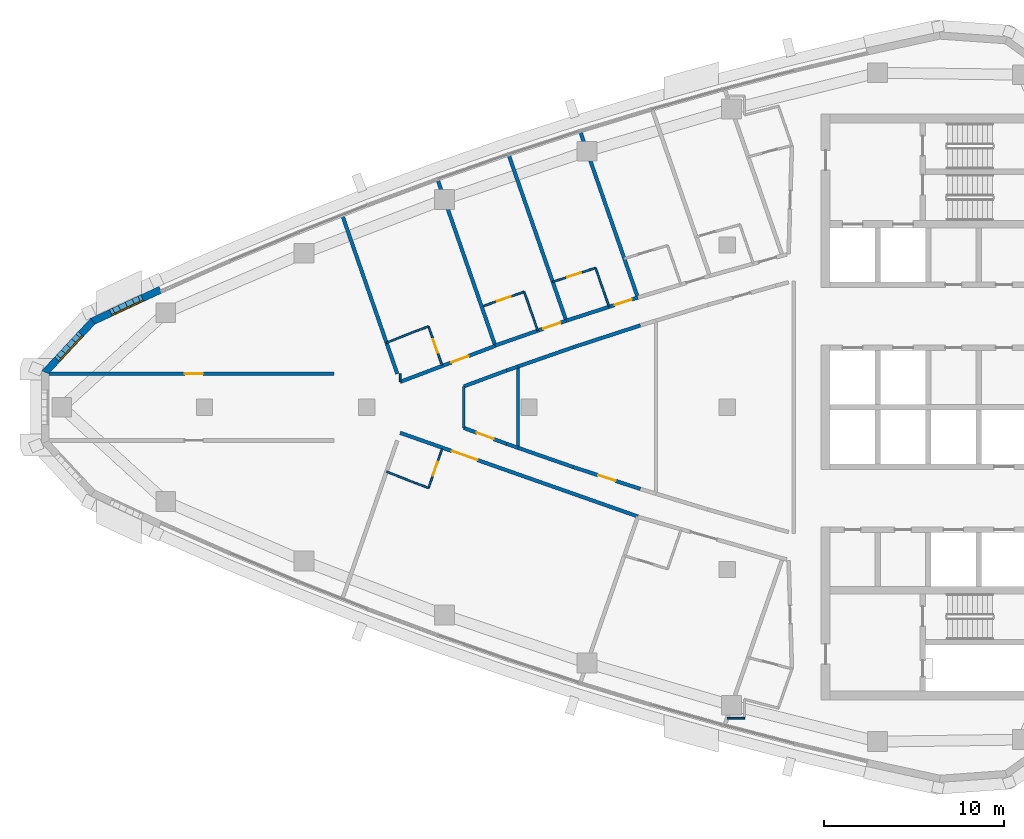
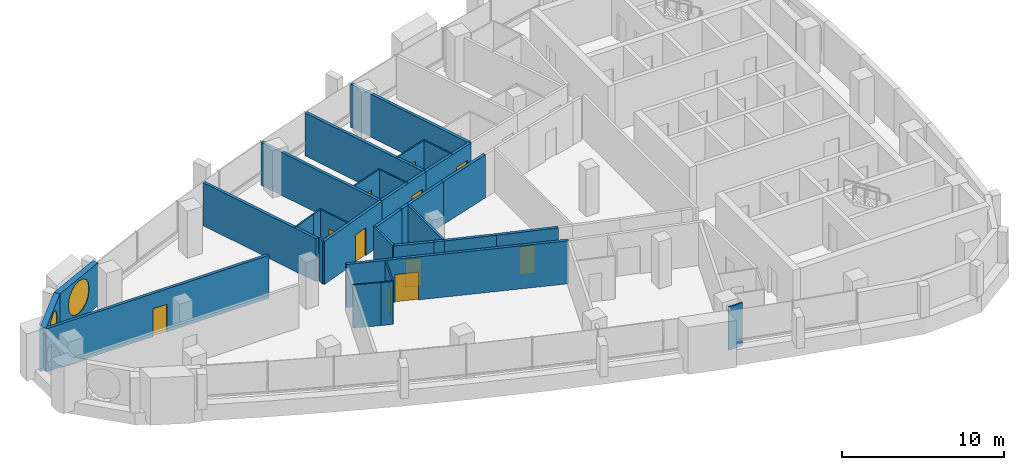
# One storey, part 7 of 14: 33 walls, 11 doors, 2 windows, 13 openings.
"""IFC4 building model written with IfcOpenShell, lengths in metres."""

from ifc_helpers import new_model, si_unit, direction, frame, frame_2d, origin, place, context, subcontext, project, spatial, polyline, rectangle, outline, extrude, material, layer, layer_set, type_object, element, fill, save


model = new_model("IFC4")

# Units and contexts
model_context = context("Model", 3, precision=1e-05, world=origin(), true_north=direction((0.0, 1.0)))
body_context = subcontext(model_context, "Body", "Model", "MODEL_VIEW")
ifc_project = project(units=[si_unit("LENGTHUNIT", "METRE"), si_unit("AREAUNIT", "SQUARE_METRE"), si_unit("VOLUMEUNIT", "CUBIC_METRE"), si_unit("PLANEANGLEUNIT", "RADIAN"), si_unit("MASSUNIT", "GRAM", prefix="KILO")], contexts=[model_context])

# Site, building, storey
site_placement = place(None, origin())
site = spatial("IfcSite", under=ifc_project, at=site_placement, CompositionType="ELEMENT")
building_placement = place(site_placement, origin())
building = spatial("IfcBuilding", under=site, at=building_placement, Name="Ostrand Prow Hotel Tower", CompositionType="ELEMENT")
storey_placement = place(building_placement, frame((0.0, 0.0, 289.199951171875)))
storey = spatial("IfcBuildingStorey", under=building, at=storey_placement, Name="L73", CompositionType="ELEMENT", Elevation=289.199951171875)

# Walls
ifc_material_1 = material(Name="Plasterboard partition")
ifc_layer_1 = layer(ifc_material_1, 0.10009765625)
ifc_layer_set_1 = layer_set([ifc_layer_1], Name="Plasterboard partition")
wall_type_1 = type_object("IfcWallType", Name="Partition 100 bathroom wall", PredefinedType="PARTITIONING", material=ifc_layer_set_1)
wall_1_placement = place(storey_placement, frame((26.095703125, 3.576171875, 0.0), z_axis=(0.0, 0.0, 1.0), x_axis=(0.930254925629, 0.366913850028, 0.0)))
element("IfcWall", 1, at=wall_1_placement, inside=storey, type_object=wall_type_1, Name="BATHROOM WALL", PredefinedType="PARTITIONING", context=body_context, shape_type="SweptSolid", body=[
    extrude(rectangle(XDim=1.760009765625, YDim=0.10009765625, at=frame_2d((0.8798828125, 0.0))), origin(), (0.0, 0.0, 1.0), 3.25),
])
wall_2_placement = place(storey_placement, frame((27.73291015625, 4.221923828125, 0.0), z_axis=(0.0, 0.0, 1.0), x_axis=(0.937514267289, 0.347946833049, 0.0)))
element("IfcWall", 2, at=wall_2_placement, inside=storey, type_object=wall_type_1, Name="BATHROOM WALL", PredefinedType="PARTITIONING", context=body_context, shape_type="SweptSolid", body=[
    extrude(rectangle(XDim=0.74169921875, YDim=0.10009765625, at=frame_2d((0.370849609375, 0.0))), origin(), (0.0, 0.0, 1.0), 3.25),
])

# Wall, opening, door
wall_3_placement = place(storey_placement, frame((28.42822265625, 4.47998046875, 0.0), z_axis=(0.0, 0.0, 1.0), x_axis=(0.327718024288, -0.944775579996, 0.0)))
wall_3 = element("IfcWall", 3, at=wall_3_placement, inside=storey, type_object=wall_type_1, Name="BATHROOM WALL", PredefinedType="PARTITIONING", context=body_context, shape_type="SweptSolid", body=[
    extrude(rectangle(XDim=2.27734375, YDim=0.10009765625, at=frame_2d((1.138671875, 0.0))), origin(), (0.0, 0.0, 1.0), 3.25),
])
opening_1_placement = place(wall_3_placement, frame((0.75, 0.0, 0.0)))
opening_1 = element("IfcOpeningElement", 4, at=opening_1_placement, cuts=wall_3, Name="Opening D2", PredefinedType="OPENING", context=body_context, shape_type="SweptSolid", body=[
    extrude(rectangle(XDim=0.800048828125, YDim=2.10009765625, at=frame_2d((0.39990234375, 1.050048828125))), frame((0.0, 0.06005859375, 0.0), z_axis=(0.0, -1.0, 0.0), x_axis=(1.0, 0.0, 0.0)), (0.0, 0.0, 1.0), 0.1201171875),
])
ifc_material_2 = material(Name="Timber door leaf", Category="wood")
door_type_1 = type_object("IfcDoorType", Name="Bathroom door 800", OperationType="SINGLE_SWING_LEFT", PredefinedType="DOOR", material=ifc_material_2)
door_1_placement = place(opening_1_placement, origin())
door_1 = element("IfcDoor", 5, at=door_1_placement, inside=storey, type_object=door_type_1, Name="DOOR", OperationType="SINGLE_SWING_LEFT", OverallHeight=2.10009765625, OverallWidth=0.800048828125, PredefinedType="DOOR", context=body_context, shape_type="SweptSolid", body=[
    extrude(rectangle(XDim=0.800048828125, YDim=2.10009765625, at=frame_2d((0.39990234375, 1.050048828125))), frame((0.0, 0.02490234375, 0.0), z_axis=(0.0, -1.0, 0.0), x_axis=(1.0, 0.0, 0.0)), (0.0, 0.0, 1.0), 0.050048828125),
])
fill(opening_1, door_1)

wall_4_placement = place(storey_placement, frame((31.472900390625, 5.610595703125, 0.0), z_axis=(0.0, 0.0, 1.0), x_axis=(0.944305532659, 0.329069994059, 0.0)))
wall_4 = element("IfcWall", 6, at=wall_4_placement, inside=storey, type_object=wall_type_1, Name="BATHROOM WALL", PredefinedType="PARTITIONING", context=body_context, shape_type="SweptSolid", body=[
    extrude(rectangle(XDim=2.395751953125, YDim=0.10009765625, at=frame_2d((1.19775390625, 0.0))), origin(), (0.0, 0.0, 1.0), 3.25),
])
opening_2_placement = place(wall_4_placement, frame((0.800048828125, 0.0, 0.0)))
opening_2 = element("IfcOpeningElement", 7, at=opening_2_placement, cuts=wall_4, Name="Opening D2", PredefinedType="OPENING", context=body_context, shape_type="SweptSolid", body=[
    extrude(rectangle(XDim=0.800048828125, YDim=2.10009765625, at=frame_2d((0.39990234375, 1.050048828125))), frame((0.0, 0.06005859375, 0.0), z_axis=(0.0, -1.0, 0.0), x_axis=(1.0, 0.0, 0.0)), (0.0, 0.0, 1.0), 0.1201171875),
])
door_2_placement = place(opening_2_placement, origin())
door_2 = element("IfcDoor", 8, at=door_2_placement, inside=storey, type_object=door_type_1, Name="DOOR", OperationType="SINGLE_SWING_LEFT", OverallHeight=2.10009765625, OverallWidth=0.800048828125, PredefinedType="DOOR", context=body_context, shape_type="SweptSolid", body=[
    extrude(rectangle(XDim=0.800048828125, YDim=2.10009765625, at=frame_2d((0.39990234375, 1.050048828125))), frame((0.0, 0.02490234375, 0.0), z_axis=(0.0, -1.0, 0.0), x_axis=(1.0, 0.0, 0.0)), (0.0, 0.0, 1.0), 0.050048828125),
])
fill(opening_2, door_2)

# Wall
wall_5_placement = place(storey_placement, frame((33.7353515625, 6.39892578125, 0.0), z_axis=(0.0, 0.0, 1.0), x_axis=(0.32768871219, -0.944785747089, 0.0)))
element("IfcWall", 9, at=wall_5_placement, inside=storey, type_object=wall_type_1, Name="BATHROOM WALL", PredefinedType="PARTITIONING", context=body_context, shape_type="SweptSolid", body=[
    extrude(rectangle(XDim=2.27685546875, YDim=0.10009765625, at=frame_2d((1.138427734375, 0.0))), origin(), (0.0, 0.0, 1.0), 3.25),
])

# Wall, opening, door
wall_6_placement = place(storey_placement, frame((35.31689453125, 6.948486328125, 0.0), z_axis=(0.0, 0.0, 1.0), x_axis=(0.950666002187, 0.310216299194, 0.0)))
wall_6 = element("IfcWall", 10, at=wall_6_placement, inside=storey, type_object=wall_type_1, Name="BATHROOM WALL", PredefinedType="PARTITIONING", context=body_context, shape_type="SweptSolid", body=[
    extrude(rectangle(XDim=2.500244140625, YDim=0.10009765625, at=frame_2d((1.25, 0.0))), origin(), (0.0, 0.0, 1.0), 3.25),
])
opening_3_placement = place(wall_6_placement, frame((0.85009765625, 0.0, 0.0)))
opening_3 = element("IfcOpeningElement", 11, at=opening_3_placement, cuts=wall_6, Name="Opening D2", PredefinedType="OPENING", context=body_context, shape_type="SweptSolid", body=[
    extrude(rectangle(XDim=0.800048828125, YDim=2.10009765625, at=frame_2d((0.39990234375, 1.050048828125))), frame((0.0, 0.06005859375, 0.0), z_axis=(0.0, -1.0, 0.0), x_axis=(1.0, 0.0, 0.0)), (0.0, 0.0, 1.0), 0.1201171875),
])
door_3_placement = place(opening_3_placement, origin())
door_3 = element("IfcDoor", 12, at=door_3_placement, inside=storey, type_object=door_type_1, Name="DOOR", OperationType="SINGLE_SWING_LEFT", OverallHeight=2.10009765625, OverallWidth=0.800048828125, PredefinedType="DOOR", context=body_context, shape_type="SweptSolid", body=[
    extrude(rectangle(XDim=0.800048828125, YDim=2.10009765625, at=frame_2d((0.39990234375, 1.050048828125))), frame((0.0, 0.02490234375, 0.0), z_axis=(0.0, -1.0, 0.0), x_axis=(1.0, 0.0, 0.0)), (0.0, 0.0, 1.0), 0.050048828125),
])
fill(opening_3, door_3)

# Wall
wall_7_placement = place(storey_placement, frame((37.694091796875, 7.72412109375, 0.0), z_axis=(0.0, 0.0, 1.0), x_axis=(0.327622330203, -0.944808768351, 0.0)))
element("IfcWall", 13, at=wall_7_placement, inside=storey, type_object=wall_type_1, Name="BATHROOM WALL", PredefinedType="PARTITIONING", context=body_context, shape_type="SweptSolid", body=[
    extrude(rectangle(XDim=2.27734375, YDim=0.10009765625, at=frame_2d((1.138671875, 0.0))), origin(), (0.0, 0.0, 1.0), 3.25),
])

# Wall, opening, door
wall_8_placement = place(storey_placement, frame((29.174560546875, -2.328369140625, 0.0), z_axis=(0.0, 0.0, 1.0), x_axis=(-0.327718024288, -0.944775579996, 0.0)))
wall_8 = element("IfcWall", 14, at=wall_8_placement, inside=storey, type_object=wall_type_1, Name="BATHROOM WALL", PredefinedType="PARTITIONING", context=body_context, shape_type="SweptSolid", body=[
    extrude(rectangle(XDim=2.27734375, YDim=0.10009765625, at=frame_2d((1.138671875, 0.0))), origin(), (0.0, 0.0, 1.0), 3.25),
])
opening_4_placement = place(wall_8_placement, frame((0.75, 0.0, 0.0)))
opening_4 = element("IfcOpeningElement", 15, at=opening_4_placement, cuts=wall_8, Name="Opening D2", PredefinedType="OPENING", context=body_context, shape_type="SweptSolid", body=[
    extrude(rectangle(XDim=0.800048828125, YDim=2.10009765625, at=frame_2d((0.39990234375, 1.050048828125))), frame((0.0, 0.06005859375, 0.0), z_axis=(0.0, -1.0, 0.0), x_axis=(1.0, 0.0, 0.0)), (0.0, 0.0, 1.0), 0.1201171875),
])
door_4_placement = place(opening_4_placement, origin())
door_4 = element("IfcDoor", 16, at=door_4_placement, inside=storey, type_object=door_type_1, Name="DOOR", OperationType="SINGLE_SWING_LEFT", OverallHeight=2.10009765625, OverallWidth=0.800048828125, PredefinedType="DOOR", context=body_context, shape_type="SweptSolid", body=[
    extrude(rectangle(XDim=0.800048828125, YDim=2.10009765625, at=frame_2d((0.39990234375, 1.050048828125))), frame((0.0, 0.02490234375, 0.0), z_axis=(0.0, -1.0, 0.0), x_axis=(1.0, 0.0, 0.0)), (0.0, 0.0, 1.0), 0.050048828125),
])
fill(opening_4, door_4)

# Walls
wall_9_placement = place(storey_placement, frame((28.42822265625, -4.47998046875, 0.0), z_axis=(0.0, 0.0, 1.0), x_axis=(-0.937514267289, 0.347946833049, 0.0)))
element("IfcWall", 17, at=wall_9_placement, inside=storey, type_object=wall_type_1, Name="BATHROOM WALL", PredefinedType="PARTITIONING", context=body_context, shape_type="SweptSolid", body=[
    extrude(rectangle(XDim=0.74169921875, YDim=0.10009765625, at=frame_2d((0.370849609375, 0.0))), origin(), (0.0, 0.0, 1.0), 3.25),
])
wall_10_placement = place(storey_placement, frame((27.73291015625, -4.221923828125, 0.0), z_axis=(0.0, 0.0, 1.0), x_axis=(-0.930254925629, 0.366913850028, 0.0)))
element("IfcWall", 18, at=wall_10_placement, inside=storey, type_object=wall_type_1, Name="BATHROOM WALL", PredefinedType="PARTITIONING", context=body_context, shape_type="SweptSolid", body=[
    extrude(rectangle(XDim=1.760009765625, YDim=0.10009765625, at=frame_2d((0.8798828125, 0.0))), origin(), (0.0, 0.0, 1.0), 3.25),
])
wall_11_placement = place(storey_placement, frame((45.95458984375, -17.258544921875, 0.0), z_axis=(0.0, 0.0, 1.0), x_axis=(-1.0, 0.0, 0.0)))
element("IfcWall", 19, at=wall_11_placement, inside=storey, type_object=wall_type_1, Name="BATHROOM WALL", PredefinedType="PARTITIONING", context=body_context, shape_type="SweptSolid", body=[
    extrude(rectangle(XDim=0.9697265625, YDim=0.10009765625, at=frame_2d((0.48486328125, 0.0))), origin(), (0.0, 0.0, 1.0), 3.25),
])
wall_12_placement = place(storey_placement, frame((26.8564453125, 1.4091796875, 0.0), z_axis=(0.0, 0.0, 1.0), x_axis=(-0.003863105832, 0.999992538179, 0.0)))
element("IfcWall", 20, at=wall_12_placement, inside=storey, type_object=wall_type_1, Name="BATHROOM WALL", PredefinedType="PARTITIONING", context=body_context, shape_type="SweptSolid", body=[
    extrude(rectangle(XDim=0.4423828125, YDim=0.10009765625, at=frame_2d((0.22119140625, 0.0))), origin(), (0.0, 0.0, 1.0), 3.25),
])
ifc_material_3 = material(Name="Plasterboard partition")
ifc_layer_2 = layer(ifc_material_3, 0.14990234375)
ifc_layer_set_2 = layer_set([ifc_layer_2], Name="Plasterboard partition")
wall_type_2 = type_object("IfcWallType", Name="Partition 150 room partition", PredefinedType="PARTITIONING", material=ifc_layer_set_2)
wall_13_placement = place(storey_placement, frame((30.385498046875, -1.1533203125, 0.0), z_axis=(0.0, 0.0, 1.0), x_axis=(0.0, 1.0, 0.0)))
element("IfcWall", 21, at=wall_13_placement, inside=storey, type_object=wall_type_2, Name="ROOM PARTITION", PredefinedType="PARTITIONING", context=body_context, shape_type="SweptSolid", body=[
    extrude(rectangle(XDim=2.306640625, YDim=0.14990234375, at=frame_2d((1.1533203125, 0.0))), origin(), (0.0, 0.0, 1.0), 3.25),
])
wall_14_placement = place(storey_placement, frame((33.385498046875, -2.2529296875, 0.0), z_axis=(0.0, 0.0, 1.0), x_axis=(0.0, 1.0, 0.0)))
element("IfcWall", 22, at=wall_14_placement, inside=storey, type_object=wall_type_2, Name="ROOM PARTITION", PredefinedType="PARTITIONING", context=body_context, shape_type="SweptSolid", body=[
    extrude(rectangle(XDim=4.505859375, YDim=0.14990234375, at=frame_2d((2.2529296875, 0.0))), origin(), (0.0, 0.0, 1.0), 3.25),
])

# Wall, opening, door
ifc_material_4 = material(Name="Plasterboard partition")
ifc_layer_3 = layer(ifc_material_4, 0.199951171875)
ifc_layer_set_3 = layer_set([ifc_layer_3], Name="Plasterboard partition")
wall_type_3 = type_object("IfcWallType", Name="Partition 200 corridor wall", PredefinedType="PARTITIONING", material=ifc_layer_set_3)
wall_15_placement = place(storey_placement, frame((7.287109375, 1.85009765625, 0.0), z_axis=(0.0, 0.0, 1.0), x_axis=(1.0, 0.0, 0.0)))
wall_15 = element("IfcWall", 23, at=wall_15_placement, inside=storey, type_object=wall_type_3, Name="CORRIDOR WALL", PredefinedType="PARTITIONING", context=body_context, shape_type="SweptSolid", body=[
    extrude(rectangle(XDim=15.898681640625, YDim=0.199951171875, at=frame_2d((7.94921875, 0.0))), origin(), (0.0, 0.0, 1.0), 3.25),
])
opening_5_placement = place(wall_15_placement, frame((7.6240234375, 0.0, 0.0)))
opening_5 = element("IfcOpeningElement", 24, at=opening_5_placement, cuts=wall_15, Name="Opening D1", PredefinedType="OPENING", context=body_context, shape_type="SweptSolid", body=[
    extrude(rectangle(XDim=1.0, YDim=2.10009765625, at=frame_2d((0.5, 1.050048828125))), frame((0.0, 0.10986328125, 0.0), z_axis=(0.0, -1.0, 0.0), x_axis=(1.0, 0.0, 0.0)), (0.0, 0.0, 1.0), 0.219970703125),
])
ifc_material_5 = material(Name="Timber door leaf", Category="wood")
door_type_2 = type_object("IfcDoorType", Name="Guest room door 1000", OperationType="SINGLE_SWING_LEFT", PredefinedType="DOOR", material=ifc_material_5)
door_5_placement = place(opening_5_placement, origin())
door_5 = element("IfcDoor", 25, at=door_5_placement, inside=storey, type_object=door_type_2, Name="DOOR", OperationType="SINGLE_SWING_LEFT", OverallHeight=2.10009765625, OverallWidth=1.0, PredefinedType="DOOR", context=body_context, shape_type="SweptSolid", body=[
    extrude(rectangle(XDim=1.0, YDim=2.10009765625, at=frame_2d((0.5, 1.050048828125))), frame((0.0, 0.02490234375, 0.0), z_axis=(0.0, -1.0, 0.0), x_axis=(1.0, 0.0, 0.0)), (0.0, 0.0, 1.0), 0.050048828125),
])
fill(opening_5, door_5)

wall_16_placement = place(storey_placement, frame((26.85009765625, 1.4013671875, 0.0), z_axis=(0.0, 0.0, 1.0), x_axis=(0.935181367748, 0.354169181912, 0.0)))
wall_16 = element("IfcWall", 26, at=wall_16_placement, inside=storey, type_object=wall_type_3, Name="CORRIDOR WALL", PredefinedType="PARTITIONING", context=body_context, shape_type="SweptSolid", body=[
    extrude(rectangle(XDim=5.64501953125, YDim=0.199951171875, at=frame_2d((2.822509765625, 0.0))), origin(), (0.0, 0.0, 1.0), 3.25),
])
opening_6_placement = place(wall_16_placement, frame((3.050048828125, 0.0, 0.0)))
opening_6 = element("IfcOpeningElement", 27, at=opening_6_placement, cuts=wall_16, Name="Opening D1R", PredefinedType="OPENING", context=body_context, shape_type="SweptSolid", body=[
    extrude(rectangle(XDim=1.0, YDim=2.10009765625, at=frame_2d((0.5, 1.050048828125))), frame((0.0, 0.10986328125, 0.0), z_axis=(0.0, -1.0, 0.0), x_axis=(1.0, 0.0, 0.0)), (0.0, 0.0, 1.0), 0.219970703125),
])
ifc_material_6 = material(Name="Timber door leaf", Category="wood")
door_type_3 = type_object("IfcDoorType", Name="Guest room door 1000 right", OperationType="SINGLE_SWING_RIGHT", PredefinedType="DOOR", material=ifc_material_6)
door_6_placement = place(opening_6_placement, origin())
door_6 = element("IfcDoor", 28, at=door_6_placement, inside=storey, type_object=door_type_3, Name="DOOR", OperationType="SINGLE_SWING_RIGHT", OverallHeight=2.10009765625, OverallWidth=1.0, PredefinedType="DOOR", context=body_context, shape_type="SweptSolid", body=[
    extrude(rectangle(XDim=1.0, YDim=2.10009765625, at=frame_2d((0.5, 1.050048828125))), frame((0.0, 0.02490234375, 0.0), z_axis=(0.0, -1.0, 0.0), x_axis=(1.0, 0.0, 0.0)), (0.0, 0.0, 1.0), 0.050048828125),
])
fill(opening_6, door_6)

wall_17_placement = place(storey_placement, frame((36.064208984375, 4.794189453125, 0.0), z_axis=(0.0, 0.0, 1.0), x_axis=(-0.944236129554, -0.329269086986, 0.0)))
wall_17 = element("IfcWall", 29, at=wall_17_placement, inside=storey, type_object=wall_type_3, Name="CORRIDOR WALL", PredefinedType="PARTITIONING", context=body_context, shape_type="SweptSolid", body=[
    extrude(rectangle(XDim=4.17431640625, YDim=0.199951171875, at=frame_2d((2.087158203125, 0.0))), origin(), (0.0, 0.0, 1.0), 3.25),
])
opening_7_placement = place(wall_17_placement, frame((0.35009765625, 0.0, 0.0)))
opening_7 = element("IfcOpeningElement", 30, at=opening_7_placement, cuts=wall_17, Name="Opening D1R", PredefinedType="OPENING", context=body_context, shape_type="SweptSolid", body=[
    extrude(rectangle(XDim=1.0, YDim=2.10009765625, at=frame_2d((0.5, 1.050048828125))), frame((0.0, 0.10986328125, 0.0), z_axis=(0.0, -1.0, 0.0), x_axis=(1.0, 0.0, 0.0)), (0.0, 0.0, 1.0), 0.219970703125),
])
door_7_placement = place(opening_7_placement, origin())
door_7 = element("IfcDoor", 31, at=door_7_placement, inside=storey, type_object=door_type_3, Name="DOOR", OperationType="SINGLE_SWING_RIGHT", OverallHeight=2.10009765625, OverallWidth=1.0, PredefinedType="DOOR", context=body_context, shape_type="SweptSolid", body=[
    extrude(rectangle(XDim=1.0, YDim=2.10009765625, at=frame_2d((0.5, 1.050048828125))), frame((0.0, 0.02490234375, 0.0), z_axis=(0.0, -1.0, 0.0), x_axis=(1.0, 0.0, 0.0)), (0.0, 0.0, 1.0), 0.050048828125),
])
fill(opening_7, door_7)

wall_18_placement = place(storey_placement, frame((40.035400390625, 6.08251953125, 0.0), z_axis=(0.0, 0.0, 1.0), x_axis=(-0.951196378796, -0.308586209941, 0.0)))
wall_18 = element("IfcWall", 32, at=wall_18_placement, inside=storey, type_object=wall_type_3, Name="CORRIDOR WALL", PredefinedType="PARTITIONING", context=body_context, shape_type="SweptSolid", body=[
    extrude(rectangle(XDim=4.175048828125, YDim=0.199951171875, at=frame_2d((2.08740234375, 0.0))), origin(), (0.0, 0.0, 1.0), 3.25),
])
opening_8_placement = place(wall_18_placement, frame((0.35009765625, 0.0, 0.0)))
opening_8 = element("IfcOpeningElement", 33, at=opening_8_placement, cuts=wall_18, Name="Opening D1R", PredefinedType="OPENING", context=body_context, shape_type="SweptSolid", body=[
    extrude(rectangle(XDim=1.0, YDim=2.10009765625, at=frame_2d((0.5, 1.050048828125))), frame((0.0, 0.10986328125, 0.0), z_axis=(0.0, -1.0, 0.0), x_axis=(1.0, 0.0, 0.0)), (0.0, 0.0, 1.0), 0.219970703125),
])
door_8_placement = place(opening_8_placement, origin())
door_8 = element("IfcDoor", 34, at=door_8_placement, inside=storey, type_object=door_type_3, Name="DOOR", OperationType="SINGLE_SWING_RIGHT", OverallHeight=2.10009765625, OverallWidth=1.0, PredefinedType="DOOR", context=body_context, shape_type="SweptSolid", body=[
    extrude(rectangle(XDim=1.0, YDim=2.10009765625, at=frame_2d((0.5, 1.050048828125))), frame((0.0, 0.02490234375, 0.0), z_axis=(0.0, -1.0, 0.0), x_axis=(1.0, 0.0, 0.0)), (0.0, 0.0, 1.0), 0.050048828125),
])
fill(opening_8, door_8)

wall_19_placement = place(storey_placement, frame((26.85009765625, -1.4228515625, 0.0), z_axis=(0.0, 0.0, 1.0), x_axis=(0.943328585164, -0.331860182022, 0.0)))
wall_19 = element("IfcWall", 35, at=wall_19_placement, inside=storey, type_object=wall_type_3, Name="CORRIDOR WALL", PredefinedType="PARTITIONING", context=body_context, shape_type="SweptSolid", body=[
    extrude(rectangle(XDim=13.984375, YDim=0.199951171875, at=frame_2d((6.9921875, 0.0))), origin(), (0.0, 0.0, 1.0), 3.25),
])
opening_9_placement = place(wall_19_placement, frame((3.050048828125, 0.0, 0.0)))
opening_9 = element("IfcOpeningElement", 36, at=opening_9_placement, cuts=wall_19, Name="Opening D15", PredefinedType="OPENING", context=body_context, shape_type="SweptSolid", body=[
    extrude(rectangle(XDim=1.5, YDim=2.10009765625, at=frame_2d((0.75, 1.050048828125))), frame((0.0, 0.10986328125, 0.0), z_axis=(0.0, -1.0, 0.0), x_axis=(1.0, 0.0, 0.0)), (0.0, 0.0, 1.0), 0.219970703125),
])
ifc_material_7 = material(Name="Timber door leaf", Category="wood")
door_type_4 = type_object("IfcDoorType", Name="Double door 1500", OperationType="DOUBLE_DOOR_SINGLE_SWING", PredefinedType="DOOR", material=ifc_material_7)
door_9_placement = place(opening_9_placement, origin())
door_9 = element("IfcDoor", 37, at=door_9_placement, inside=storey, type_object=door_type_4, Name="DOOR", OperationType="DOUBLE_DOOR_SINGLE_SWING", OverallHeight=2.10009765625, OverallWidth=1.5, PredefinedType="DOOR", context=body_context, shape_type="SweptSolid", body=[
    extrude(rectangle(XDim=1.5, YDim=2.10009765625, at=frame_2d((0.75, 1.050048828125))), frame((0.0, 0.02490234375, 0.0), z_axis=(0.0, -1.0, 0.0), x_axis=(1.0, 0.0, 0.0)), (0.0, 0.0, 1.0), 0.050048828125),
])
fill(opening_9, door_9)

wall_20_placement = place(storey_placement, frame((32.759765625, -2.034912109375, 0.0), z_axis=(0.0, 0.0, 1.0), x_axis=(-0.937461225735, 0.348089715797, 0.0)))
wall_20 = element("IfcWall", 38, at=wall_20_placement, inside=storey, type_object=wall_type_3, Name="CORRIDOR WALL", PredefinedType="PARTITIONING", context=body_context, shape_type="SweptSolid", body=[
    extrude(rectangle(XDim=2.53271484375, YDim=0.199951171875, at=frame_2d((1.266357421875, 0.0))), origin(), (0.0, 0.0, 1.0), 3.25),
])
opening_10_placement = place(wall_20_placement, frame((0.766357421875, 0.0, 0.0)))
opening_10 = element("IfcOpeningElement", 39, at=opening_10_placement, cuts=wall_20, Name="Opening D1", PredefinedType="OPENING", context=body_context, shape_type="SweptSolid", body=[
    extrude(rectangle(XDim=1.0, YDim=2.10009765625, at=frame_2d((0.5, 1.050048828125))), frame((0.0, 0.10986328125, 0.0), z_axis=(0.0, -1.0, 0.0), x_axis=(1.0, 0.0, 0.0)), (0.0, 0.0, 1.0), 0.219970703125),
])
door_10_placement = place(opening_10_placement, origin())
door_10 = element("IfcDoor", 40, at=door_10_placement, inside=storey, type_object=door_type_2, Name="DOOR", OperationType="SINGLE_SWING_LEFT", OverallHeight=2.10009765625, OverallWidth=1.0, PredefinedType="DOOR", context=body_context, shape_type="SweptSolid", body=[
    extrude(rectangle(XDim=1.0, YDim=2.10009765625, at=frame_2d((0.5, 1.050048828125))), frame((0.0, 0.02490234375, 0.0), z_axis=(0.0, -1.0, 0.0), x_axis=(1.0, 0.0, 0.0)), (0.0, 0.0, 1.0), 0.050048828125),
])
fill(opening_10, door_10)

# Walls
wall_21_placement = place(storey_placement, frame((30.385498046875, 1.1533203125, 0.0), z_axis=(0.0, 0.0, 1.0), x_axis=(0.937461225735, 0.348089715797, 0.0)))
element("IfcWall", 41, at=wall_21_placement, inside=storey, type_object=wall_type_3, Name="CORRIDOR WALL", PredefinedType="PARTITIONING", context=body_context, shape_type="SweptSolid", body=[
    extrude(rectangle(XDim=2.53271484375, YDim=0.199951171875, at=frame_2d((1.266357421875, 0.0))), origin(), (0.0, 0.0, 1.0), 3.25),
])
for number, where, z_axis, x_axis, name in (
    (42, (32.759765625, 2.034912109375, 0.0), (0.0, 0.0, 1.0), (0.944322693955, 0.329020743543, 0.0), "CORRIDOR WALL"),
    (43, (33.385498046875, -2.2529296875, 0.0), (0.0, 0.0, 1.0), (-0.944322693955, 0.329020743543, 0.0), "CORRIDOR WALL"),
):
    element("IfcWall", number, at=place(storey_placement, frame(where, z_axis=z_axis, x_axis=x_axis)), inside=storey, type_object=wall_type_3, Name=name, PredefinedType="PARTITIONING", context=body_context, shape_type="SweptSolid", body=[
        extrude(rectangle(XDim=0.66259765625, YDim=0.199951171875, at=frame_2d((0.331298828125, 0.0))), origin(), (0.0, 0.0, 1.0), 3.25),
    ])

# Wall, opening, door
wall_22_placement = place(storey_placement, frame((40.1748046875, -4.5361328125, 0.0), z_axis=(0.0, 0.0, 1.0), x_axis=(-0.950709849021, 0.310081897206, 0.0)))
wall_22 = element("IfcWall", 44, at=wall_22_placement, inside=storey, type_object=wall_type_3, Name="CORRIDOR WALL", PredefinedType="PARTITIONING", context=body_context, shape_type="SweptSolid", body=[
    extrude(rectangle(XDim=3.9130859375, YDim=0.199951171875, at=frame_2d((1.95654296875, 0.0))), origin(), (0.0, 0.0, 1.0), 3.25),
])
opening_11_placement = place(wall_22_placement, frame((1.45654296875, 0.0, 0.0)))
opening_11 = element("IfcOpeningElement", 45, at=opening_11_placement, cuts=wall_22, Name="Opening D1R", PredefinedType="OPENING", context=body_context, shape_type="SweptSolid", body=[
    extrude(rectangle(XDim=1.0, YDim=2.10009765625, at=frame_2d((0.5, 1.050048828125))), frame((0.0, 0.10986328125, 0.0), z_axis=(0.0, -1.0, 0.0), x_axis=(1.0, 0.0, 0.0)), (0.0, 0.0, 1.0), 0.219970703125),
])
door_11_placement = place(opening_11_placement, origin())
door_11 = element("IfcDoor", 46, at=door_11_placement, inside=storey, type_object=door_type_3, Name="DOOR", OperationType="SINGLE_SWING_RIGHT", OverallHeight=2.10009765625, OverallWidth=1.0, PredefinedType="DOOR", context=body_context, shape_type="SweptSolid", body=[
    extrude(rectangle(XDim=1.0, YDim=2.10009765625, at=frame_2d((0.5, 1.050048828125))), frame((0.0, 0.02490234375, 0.0), z_axis=(0.0, -1.0, 0.0), x_axis=(1.0, 0.0, 0.0)), (0.0, 0.0, 1.0), 0.050048828125),
])
fill(opening_11, door_11)

# Walls
for number, where, z_axis, x_axis, name in (
    (47, (36.45458984375, -3.32275390625, 0.0), (0.0, 0.0, 1.0), (-0.944275670423, 0.329155674791, 0.0), "CORRIDOR WALL"),
    (48, (33.385498046875, 2.2529296875, 0.0), (0.0, 0.0, 1.0), (0.944275670423, 0.329155674791, 0.0), "CORRIDOR WALL"),
):
    element("IfcWall", number, at=place(storey_placement, frame(where, z_axis=z_axis, x_axis=x_axis)), inside=storey, type_object=wall_type_3, Name=name, PredefinedType="PARTITIONING", context=body_context, shape_type="SweptSolid", body=[
        extrude(rectangle(XDim=3.250244140625, YDim=0.199951171875, at=frame_2d((1.625, 0.0))), origin(), (0.0, 0.0, 1.0), 3.25),
    ])
wall_23_placement = place(storey_placement, frame((36.45458984375, 3.32275390625, 0.0), z_axis=(0.0, 0.0, 1.0), x_axis=(0.950709849021, 0.310081897206, 0.0)))
element("IfcWall", 49, at=wall_23_placement, inside=storey, type_object=wall_type_3, Name="CORRIDOR WALL", PredefinedType="PARTITIONING", context=body_context, shape_type="SweptSolid", body=[
    extrude(rectangle(XDim=3.9130859375, YDim=0.199951171875, at=frame_2d((1.95654296875, 0.0))), origin(), (0.0, 0.0, 1.0), 3.25),
])
ifc_material_8 = material(Name="Plasterboard partition")
ifc_layer_4 = layer(ifc_material_8, 0.199951171875)
ifc_layer_set_4 = layer_set([ifc_layer_4], Name="Plasterboard partition")
wall_type_4 = type_object("IfcWallType", Name="Partition 200 key partition", PredefinedType="PARTITIONING", material=ifc_layer_set_4)
wall_24_placement = place(storey_placement, frame((26.6943359375, 1.85009765625, 0.0), z_axis=(0.0, 0.0, 1.0), x_axis=(-0.327714422317, 0.944776829418, 0.0)))
element("IfcWall", 50, at=wall_24_placement, inside=storey, type_object=wall_type_4, Name="KEY PARTITION", PredefinedType="PARTITIONING", context=body_context, shape_type="SweptSolid", body=[
    extrude(rectangle(XDim=9.2333984375, YDim=0.199951171875, at=frame_2d((4.61669921875, 0.0))), origin(), (0.0, 0.0, 1.0), 3.25),
])
wall_25_placement = place(storey_placement, frame((32.129150390625, 3.400634765625, 0.0), z_axis=(0.0, 0.0, 1.0), x_axis=(-0.327724115377, 0.944773467134, 0.0)))
element("IfcWall", 51, at=wall_25_placement, inside=storey, type_object=wall_type_4, Name="KEY PARTITION", PredefinedType="PARTITIONING", context=body_context, shape_type="SweptSolid", body=[
    extrude(rectangle(XDim=9.702392578125, YDim=0.199951171875, at=frame_2d((4.85107421875, 0.0))), origin(), (0.0, 0.0, 1.0), 3.25),
])
wall_26_placement = place(storey_placement, frame((36.07080078125, 4.775390625, 0.0), z_axis=(0.0, 0.0, 1.0), x_axis=(-0.327725028322, 0.94477315045, 0.0)))
element("IfcWall", 52, at=wall_26_placement, inside=storey, type_object=wall_type_4, Name="KEY PARTITION", PredefinedType="PARTITIONING", context=body_context, shape_type="SweptSolid", body=[
    extrude(rectangle(XDim=9.70166015625, YDim=0.199951171875, at=frame_2d((4.850830078125, 0.0))), origin(), (0.0, 0.0, 1.0), 3.25),
])
wall_27_placement = place(storey_placement, frame((40.0419921875, 6.063720703125, 0.0), z_axis=(0.0, 0.0, 1.0), x_axis=(-0.327710853631, 0.944778067279, 0.0)))
element("IfcWall", 53, at=wall_27_placement, inside=storey, type_object=wall_type_4, Name="KEY PARTITION", PredefinedType="PARTITIONING", context=body_context, shape_type="SweptSolid", body=[
    extrude(rectangle(XDim=9.707275390625, YDim=0.199951171875, at=frame_2d((4.853515625, 0.0))), origin(), (0.0, 0.0, 1.0), 3.25),
])

# Wall, opening, window
ifc_material_9 = material(Name="Precast concrete C40/50", Category="concrete")
ifc_layer_5 = layer(ifc_material_9, 0.39990234375)
ifc_layer_set_5 = layer_set([ifc_layer_5], Name="Precast concrete C40/50")
wall_type_5 = type_object("IfcWallType", Name="Stone-faced precast wall 400 mm", PredefinedType="NOTDEFINED", material=ifc_layer_set_5)
wall_28_placement = place(storey_placement, frame((13.55859375, 6.5146484375, 0.0), z_axis=(0.0, 0.0, 1.0), x_axis=(-0.906485602396, -0.42223672584, 0.0)))
wall_28 = element("IfcWall", 54, at=wall_28_placement, inside=storey, type_object=wall_type_5, Name="Stone-faced wall prow 1", PredefinedType="NOTDEFINED", context=body_context, shape_type="SweptSolid", body=[
    extrude(outline(polyline([(0.0, -0.199951171875), (4.1806640625, -0.199951171875), (4.1025390625, 0.199951171875), (0.0, 0.199951171875), (0.0, -0.199951171875)])), origin(), (0.0, 0.0, 1.0), 3.25),
])
opening_12_placement = place(wall_28_placement, frame((0.970947265625, 0.0, 0.60009765625)))
opening_12 = element("IfcOpeningElement", 55, at=opening_12_placement, cuts=wall_28, Name="Opening WP1", PredefinedType="OPENING", context=body_context, shape_type="SweptSolid", body=[
    extrude(outline(polyline([(0.0, 1.35009765625), (0.083740234375, 1.77099609375), (0.322265625, 2.127685546875), (0.678955078125, 2.3662109375), (1.10009765625, 2.449951171875), (1.52099609375, 2.3662109375), (1.877685546875, 2.127685546875), (2.1162109375, 1.77099609375), (2.199951171875, 1.35009765625), (2.199951171875, 1.10009765625), (2.1162109375, 0.678955078125), (1.877685546875, 0.322265625), (1.52099609375, 0.083740234375), (1.10009765625, 0.0), (0.678955078125, 0.083740234375), (0.322265625, 0.322265625), (0.083740234375, 0.678955078125), (0.0, 1.099853515625), (0.0, 1.35009765625)])), frame((0.0, 0.2099609375, 0.0), z_axis=(0.0, -1.0, 0.0), x_axis=(1.0, 0.0, 0.0)), (0.0, 0.0, 1.0), 0.419921875),
])
ifc_material_10 = material(Name="Insulated glass in bronze frame", Category="glass")
window_type = type_object("IfcWindowType", Name="Round-ended prow window 2200x2450", PartitioningType="SINGLE_PANEL", PredefinedType="WINDOW", material=ifc_material_10)
window_1_placement = place(opening_12_placement, origin())
window_1 = element("IfcWindow", 56, at=window_1_placement, inside=storey, type_object=window_type, Name="Window prow 1.1", OverallHeight=2.449951171875, OverallWidth=2.199951171875, PartitioningType="SINGLE_PANEL", PredefinedType="WINDOW", context=body_context, shape_type="SweptSolid", body=[
    extrude(outline(polyline([(0.0, 1.35009765625), (0.083740234375, 1.77099609375), (0.322265625, 2.127685546875), (0.678955078125, 2.3662109375), (1.10009765625, 2.449951171875), (1.52099609375, 2.3662109375), (1.877685546875, 2.127685546875), (2.1162109375, 1.77099609375), (2.199951171875, 1.35009765625), (2.199951171875, 1.10009765625), (2.1162109375, 0.678955078125), (1.877685546875, 0.322265625), (1.52099609375, 0.083740234375), (1.10009765625, 0.0), (0.678955078125, 0.083740234375), (0.322265625, 0.322265625), (0.083740234375, 0.678955078125), (0.0, 1.099853515625), (0.0, 1.35009765625)])), frame((0.0, 0.169921875, 0.0), z_axis=(0.0, -1.0, 0.0), x_axis=(1.0, 0.0, 0.0)), (0.0, 0.0, 1.0), 0.06005859375),
])
fill(opening_12, window_1)

wall_29_placement = place(storey_placement, frame((9.80419921875, 4.765869140625, 0.0), z_axis=(0.0, 0.0, 1.0), x_axis=(-0.6815467277, -0.73177459505, 0.0)))
wall_29 = element("IfcWall", 57, at=wall_29_placement, inside=storey, type_object=wall_type_5, Name="Stone-faced wall prow 2", PredefinedType="NOTDEFINED", context=body_context, shape_type="SweptSolid", body=[
    extrude(outline(polyline([(-0.0390625, -0.199951171875), (3.94775390625, -0.199951171875), (3.79052734375, 0.199951171875), (0.0390625, 0.199951171875), (-0.0390625, -0.199951171875)])), origin(), (0.0, 0.0, 1.0), 3.25),
])
opening_13_placement = place(wall_29_placement, frame((0.834716796875, 0.0, 0.60009765625)))
opening_13 = element("IfcOpeningElement", 58, at=opening_13_placement, cuts=wall_29, Name="Opening WP1", PredefinedType="OPENING", context=body_context, shape_type="SweptSolid", body=[
    extrude(outline(polyline([(0.0, 1.35009765625), (0.083740234375, 1.77099609375), (0.322265625, 2.127685546875), (0.678955078125, 2.3662109375), (1.10009765625, 2.449951171875), (1.52099609375, 2.3662109375), (1.877685546875, 2.127685546875), (2.1162109375, 1.77099609375), (2.199951171875, 1.35009765625), (2.199951171875, 1.10009765625), (2.1162109375, 0.678955078125), (1.877685546875, 0.322265625), (1.52099609375, 0.083740234375), (1.10009765625, 0.0), (0.678955078125, 0.083740234375), (0.322265625, 0.322265625), (0.083740234375, 0.678955078125), (0.0, 1.099853515625), (0.0, 1.35009765625)])), frame((0.0, 0.2099609375, 0.0), z_axis=(0.0, -1.0, 0.0), x_axis=(1.0, 0.0, 0.0)), (0.0, 0.0, 1.0), 0.419921875),
])
window_2_placement = place(opening_13_placement, origin())
window_2 = element("IfcWindow", 59, at=window_2_placement, inside=storey, type_object=window_type, Name="Window prow 2.1", OverallHeight=2.449951171875, OverallWidth=2.199951171875, PartitioningType="SINGLE_PANEL", PredefinedType="WINDOW", context=body_context, shape_type="SweptSolid", body=[
    extrude(outline(polyline([(0.0, 1.35009765625), (0.083740234375, 1.77099609375), (0.322265625, 2.127685546875), (0.678955078125, 2.3662109375), (1.10009765625, 2.449951171875), (1.52099609375, 2.3662109375), (1.877685546875, 2.127685546875), (2.1162109375, 1.77099609375), (2.199951171875, 1.35009765625), (2.199951171875, 1.10009765625), (2.1162109375, 0.678955078125), (1.877685546875, 0.322265625), (1.52099609375, 0.083740234375), (1.10009765625, 0.0), (0.678955078125, 0.083740234375), (0.322265625, 0.322265625), (0.083740234375, 0.678955078125), (0.0, 1.099853515625), (0.0, 1.35009765625)])), frame((0.0, 0.169921875, 0.0), z_axis=(0.0, -1.0, 0.0), x_axis=(1.0, 0.0, 0.0)), (0.0, 0.0, 1.0), 0.06005859375),
])
fill(opening_13, window_2)

save(model, "model.ifc")
